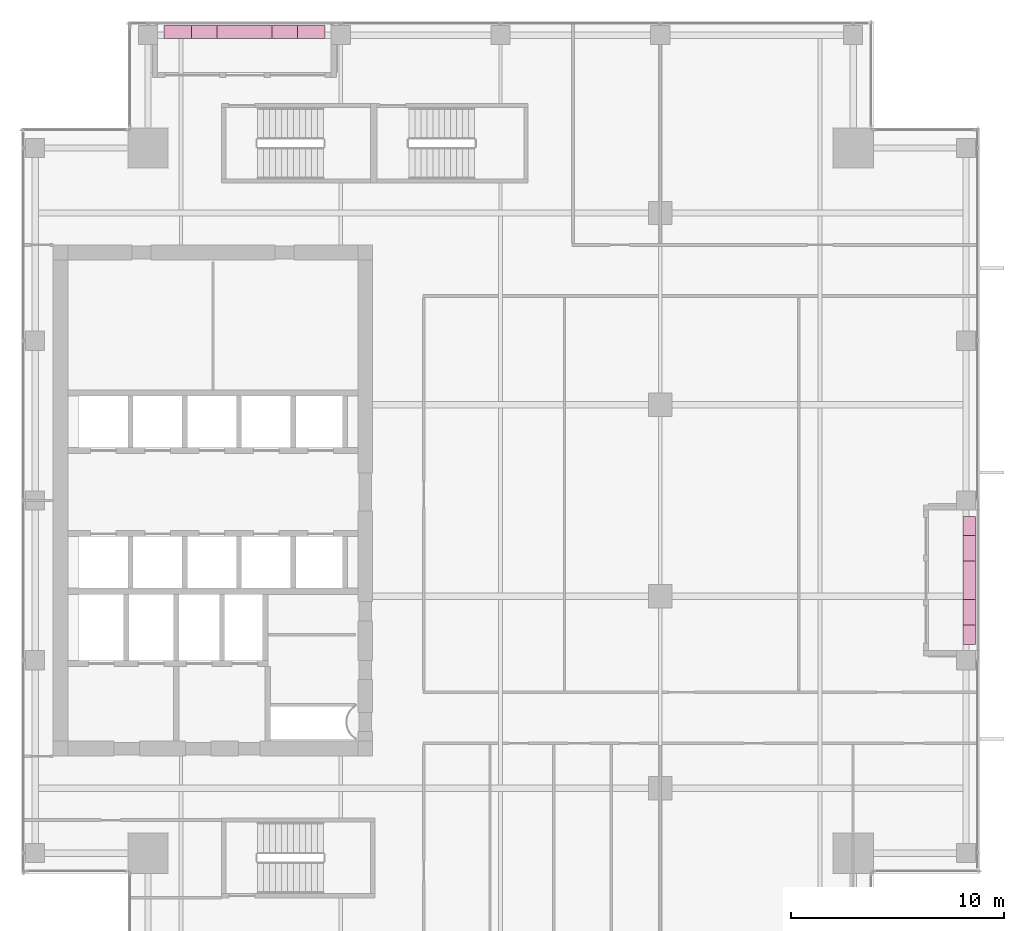
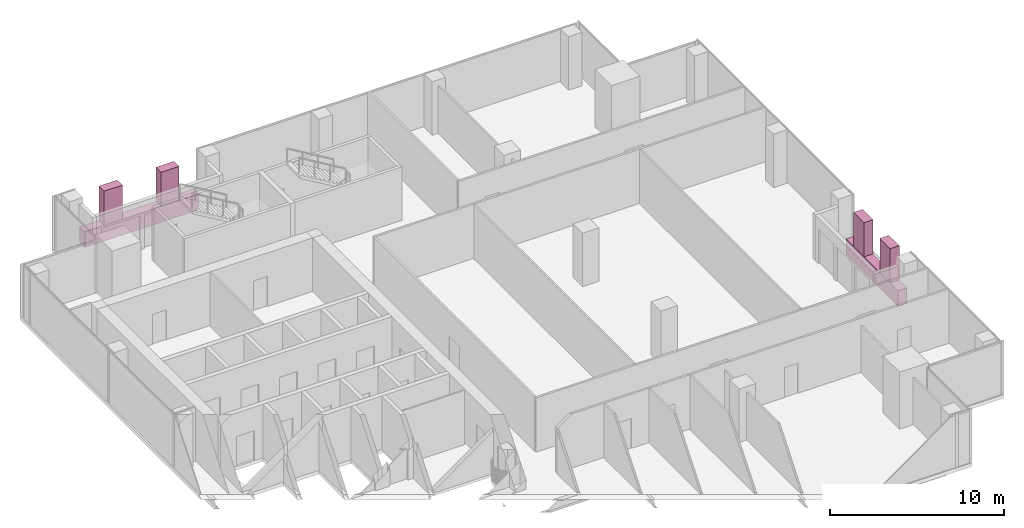
# One storey, part 36 of 36: 6 furnishings.
"""IFC4 building model written with IfcOpenShell, lengths in metres."""

from ifc_helpers import new_model, si_unit, direction, frame, origin, origin_2d, place, context, subcontext, project, spatial, rectangle, extrude, source, transform, mapped, material, type_object, element, save


model = new_model("IFC4")

# Units and contexts
model_context = context("Model", 3, precision=1e-05, world=origin(), true_north=direction((0.0, 1.0)))
body_context = subcontext(model_context, "Body", "Model", "MODEL_VIEW")
ifc_project = project(units=[si_unit("LENGTHUNIT", "METRE"), si_unit("AREAUNIT", "SQUARE_METRE"), si_unit("VOLUMEUNIT", "CUBIC_METRE"), si_unit("PLANEANGLEUNIT", "RADIAN"), si_unit("MASSUNIT", "GRAM", prefix="KILO")], contexts=[model_context])

# Site, building, storey
site_placement = place(None, origin())
site = spatial("IfcSite", under=ifc_project, at=site_placement, CompositionType="ELEMENT")
building_placement = place(site_placement, origin())
building = spatial("IfcBuilding", under=site, at=building_placement, Name="Khomas Fold Tower", CompositionType="ELEMENT")
storey_placement = place(building_placement, frame((0.0, 0.0, 226.199951171875)))
storey = spatial("IfcBuildingStorey", under=building, at=storey_placement, Name="L50", CompositionType="ELEMENT", Elevation=226.199951171875)

# Furnishings
ifc_material_1 = material(Name="Planting")
furnishing_element_type_1 = type_object("IfcFurnishingElementType", Name="BL-Tree Wild olive", material=ifc_material_1)
shared_shape_1 = source(origin(), body_context, "Body", "SweptSolid", [
    extrude(rectangle(XDim=1.199951171875, YDim=0.60009765625, at=origin_2d()), origin(), (0.0, 0.0, 1.0), 2.39501953125),
])
furnishing_1_placement = place(storey_placement, frame((13.08740234375, 49.0, 1.054931640625), z_axis=(0.0, 0.0, 1.0), x_axis=(1.0, 0.0, 0.0)))
element("IfcFurnishingElement", 1, at=furnishing_1_placement, inside=storey, type_object=furnishing_element_type_1, Name="PLANTER (TREE) Wild olive BAL-L50-N1-1", context=body_context, shape_type="MappedRepresentation", body=[
    mapped(shared_shape_1, transform((0.0, 0.0, 0.0))),
])
ifc_material_2 = material(Name="Planting")
furnishing_element_type_2 = type_object("IfcFurnishingElementType", Name="BL-Tree Shepherd's tree", material=ifc_material_2)
for number, where, z_axis, x_axis, name in (
    (2, (16.862548828125, 49.0, 1.054931640625), (0.0, 0.0, 1.0), (1.0, 0.0, 0.0), "PLANTER (TREE) Shepherd's tree BAL-L50-N1-2"),
    (3, (49.0, 21.75, 1.054931640625), (0.0, 0.0, 1.0), (0.0, 1.0, 0.0), "PLANTER (TREE) Shepherd's tree BAL-L50-E2-1"),
):
    element("IfcFurnishingElement", number, at=place(storey_placement, frame(where, z_axis=z_axis, x_axis=x_axis)), inside=storey, type_object=furnishing_element_type_2, Name=name, context=body_context, shape_type="MappedRepresentation", body=[
        mapped(shared_shape_1, transform((0.0, 0.0, 0.0))),
    ])
ifc_material_3 = material(Name="Planting")
furnishing_element_type_3 = type_object("IfcFurnishingElementType", Name="BL-Tree Karee", material=ifc_material_3)
furnishing_2_placement = place(storey_placement, frame((49.0, 24.75, 1.054931640625), z_axis=(0.0, 0.0, 1.0), x_axis=(0.0, 1.0, 0.0)))
element("IfcFurnishingElement", 4, at=furnishing_2_placement, inside=storey, type_object=furnishing_element_type_3, Name="PLANTER (TREE) Karee BAL-L50-E2-2", context=body_context, shape_type="MappedRepresentation", body=[
    mapped(shared_shape_1, transform((0.0, 0.0, 0.0))),
])
ifc_material_4 = material(Name="Precast concrete C40/50", Category="concrete")
furnishing_element_type_4 = type_object("IfcFurnishingElementType", Name="BL-Structural planter box", material=ifc_material_4)
shared_shape_2 = source(origin(), body_context, "Body", "SweptSolid", [
    extrude(rectangle(XDim=7.550048828125, YDim=0.60009765625, at=origin_2d()), origin(), (0.0, 0.0, 1.0), 1.10009765625),
])
furnishing_3_placement = place(storey_placement, frame((14.97509765625, 49.0, -0.044921875), z_axis=(0.0, 0.0, 1.0), x_axis=(1.0, 0.0, 0.0)))
element("IfcFurnishingElement", 5, at=furnishing_3_placement, inside=storey, type_object=furnishing_element_type_4, Name="PLANTER BAL-L50-N1", context=body_context, shape_type="MappedRepresentation", body=[
    mapped(shared_shape_2, transform((0.0, 0.0, 0.0))),
])
shared_shape_3 = source(origin(), body_context, "Body", "SweptSolid", [
    extrude(rectangle(XDim=6.0, YDim=0.60009765625, at=origin_2d()), origin(), (0.0, 0.0, 1.0), 1.10009765625),
])
furnishing_4_placement = place(storey_placement, frame((49.0, 23.25, -0.044921875), z_axis=(0.0, 0.0, 1.0), x_axis=(0.0, 1.0, 0.0)))
element("IfcFurnishingElement", 6, at=furnishing_4_placement, inside=storey, type_object=furnishing_element_type_4, Name="PLANTER BAL-L50-E2", context=body_context, shape_type="MappedRepresentation", body=[
    mapped(shared_shape_3, transform((0.0, 0.0, 0.0))),
])

save(model, "model.ifc")
